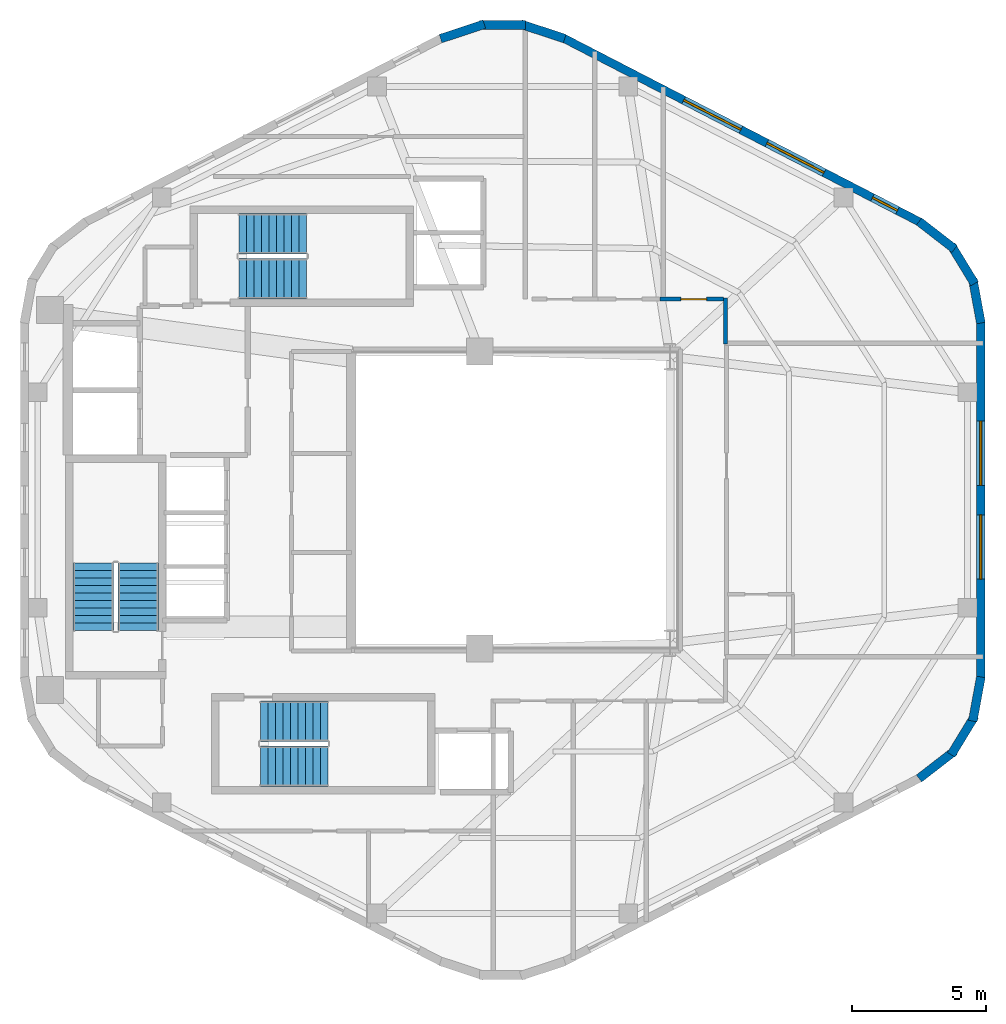
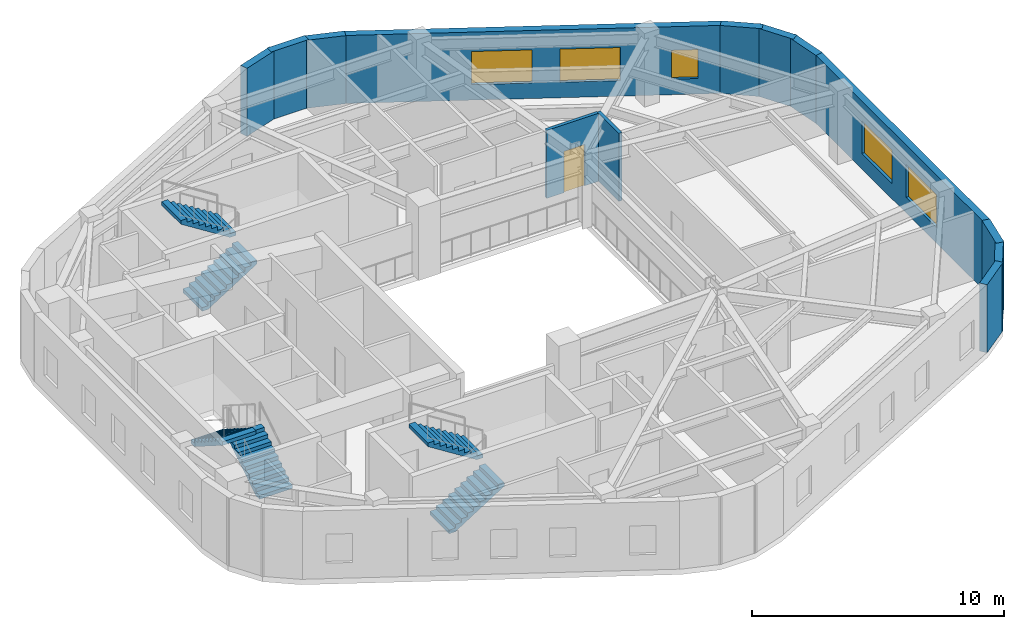
# One storey, part 5 of 6: 13 walls, 6 stair flights, 5 windows, 1 door, 6 openings, 3 elements without a shape of their own.
"""IFC4 building model written with IfcOpenShell, lengths in metres."""

from ifc_helpers import new_model, si_unit, direction, frame, frame_2d, origin, place, context, subcontext, project, spatial, polyline, rectangle, outline, extrude, material, layer, layer_set, type_object, element, fill, aggregate, save


model = new_model("IFC4")

# Units and contexts
model_context = context("Model", 3, precision=1e-05, world=origin(), true_north=direction((0.0, 1.0)))
body_context = subcontext(model_context, "Body", "Model", "MODEL_VIEW")
ifc_project = project(units=[si_unit("LENGTHUNIT", "METRE"), si_unit("AREAUNIT", "SQUARE_METRE"), si_unit("VOLUMEUNIT", "CUBIC_METRE"), si_unit("PLANEANGLEUNIT", "RADIAN"), si_unit("MASSUNIT", "GRAM", prefix="KILO"), si_unit("THERMODYNAMICTEMPERATUREUNIT", "KELVIN"), si_unit("POWERUNIT", "WATT")], contexts=[model_context])

# Site, building, storey
site_placement = place(None, origin())
site = spatial("IfcSite", under=ifc_project, at=site_placement, CompositionType="ELEMENT")
building_placement = place(site_placement, origin())
building = spatial("IfcBuilding", under=site, at=building_placement, Name="Skarre Station Tower", CompositionType="ELEMENT")
storey_placement = place(building_placement, frame((0.0, 0.0, 259.64990234375)))
storey = spatial("IfcBuildingStorey", under=building, at=storey_placement, Name="L71", CompositionType="ELEMENT", Elevation=259.64990234375)

# Wall
ifc_material_1 = material(Name="Acoustic Steel-Stud Gypsum Partition", Category="steel")
ifc_layer_1 = layer(ifc_material_1, 0.14990234375, Name="Acoustic Steel-Stud Gypsum Partition")
ifc_layer_set_1 = layer_set([ifc_layer_1], Name="Acoustic Steel-Stud Gypsum Partition")
wall_type_1 = type_object("IfcWallType", Name="Fire-Rated Corridor Acoustic Partition 150", PredefinedType="PARTITIONING", material=ifc_layer_set_1)
wall_1_placement = place(storey_placement, frame((41.52001953125, 29.820068359375, 0.0), z_axis=(0.0, 0.0, 1.0), x_axis=(0.0, 1.0, 0.0)))
element("IfcWall", 1, at=wall_1_placement, inside=storey, type_object=wall_type_1, Name="L71 Interior Partition WL-PT-L71-CORR-NER", PredefinedType="PARTITIONING", context=body_context, shape_type="SweptSolid", body=[
    extrude(rectangle(XDim=1.719970703125, YDim=0.14990234375, at=frame_2d((0.85986328125, 0.0))), origin(), (0.0, 0.0, 1.0), 3.2900390625),
])

# Wall, opening, door
wall_2_placement = place(storey_placement, frame((41.449951171875, 31.5, 0.0), z_axis=(0.0, 0.0, 1.0), x_axis=(-1.0, 0.0, 0.0)))
wall_2 = element("IfcWall", 2, at=wall_2_placement, inside=storey, type_object=wall_type_1, Name="L71 Interior Partition WL-PT-L71-NW3-CW", PredefinedType="PARTITIONING", context=body_context, shape_type="SweptSolid", body=[
    extrude(rectangle(XDim=2.3740234375, YDim=0.14990234375, at=frame_2d((1.18701171875, 0.0))), origin(), (0.0, 0.0, 1.0), 3.2900390625),
])
opening_1_placement = place(wall_2_placement, frame((0.634033203125, 0.0, 0.0)))
opening_1 = element("IfcOpeningElement", 3, at=opening_1_placement, cuts=wall_2, Name="Opening DR-FD60", PredefinedType="OPENING", context=body_context, shape_type="SweptSolid", body=[
    extrude(rectangle(XDim=0.9599609375, YDim=2.0, at=frame_2d((0.47998046875, 1.0))), frame((0.0, 0.0849609375, 0.0), z_axis=(0.0, -1.0, 0.0), x_axis=(1.0, 0.0, 0.0)), (0.0, 0.0, 1.0), 0.169921875),
])
ifc_material_2 = material(Name="Nordic White-Oak Veneer Solid-Core Fire Leaf", Category="wood")
door_type = type_object("IfcDoorType", Name="Corridor Suite Entry Fire Door FD60 960x2150", OperationType="SINGLE_SWING_LEFT", PredefinedType="DOOR", material=ifc_material_2)
door_placement = place(opening_1_placement, origin())
door = element("IfcDoor", 4, at=door_placement, inside=storey, type_object=door_type, Name="L71 NW3 Entry Door", OperationType="SINGLE_SWING_LEFT", OverallHeight=2.0, OverallWidth=0.9599609375, PredefinedType="DOOR", context=body_context, shape_type="SweptSolid", body=[
    extrude(rectangle(XDim=0.9599609375, YDim=2.0, at=frame_2d((0.47998046875, 1.0))), frame((0.0, 0.02490234375, 0.0), z_axis=(0.0, -1.0, 0.0), x_axis=(1.0, 0.0, 0.0)), (0.0, 0.0, 1.0), 0.050048828125),
])
fill(opening_1, door)

# Walls
ifc_material_3 = material(Name="Precast concrete C45/55", Category="concrete")
ifc_layer_2 = layer(ifc_material_3, 0.330078125, Name="Precast concrete C45/55")
ifc_layer_set_2 = layer_set([ifc_layer_2], Name="Precast concrete C45/55")
wall_type_2 = type_object("IfcWallType", Name="Nordic Rounded Corner Precast Wall 330", PredefinedType="STANDARD", material=ifc_layer_set_2)
wall_3_placement = place(storey_placement, frame((48.7529296875, 34.40087890625, 0.0), z_axis=(0.0, 0.0, 1.0), x_axis=(0.790691856293, -0.61221433207, 0.0)))
element("IfcWall", 5, at=wall_3_placement, inside=storey, type_object=wall_type_2, Name="L71 Rounded Corner Precast Wall F0-1", PredefinedType="STANDARD", context=body_context, shape_type="SweptSolid", body=[
    extrude(rectangle(XDim=1.67578125, YDim=0.330078125, at=frame_2d((0.837890625, 0.0))), origin(), (0.0, 0.0, 1.0), 3.2900390625),
])
wall_4_placement = place(storey_placement, frame((49.952880859375, 33.514892578125, 0.0), z_axis=(0.0, 0.0, 1.0), x_axis=(0.520325409202, -0.853968072318, 0.0)))
element("IfcWall", 6, at=wall_4_placement, inside=storey, type_object=wall_type_2, Name="L71 Rounded Corner Precast Wall F0-2", PredefinedType="STANDARD", context=body_context, shape_type="SweptSolid", body=[
    extrude(rectangle(XDim=1.677978515625, YDim=0.330078125, at=frame_2d((0.8388671875, 0.0))), origin(), (0.0, 0.0, 1.0), 3.2900390625),
])
wall_5_placement = place(storey_placement, frame((50.759033203125, 32.257080078125, 0.0), z_axis=(0.0, 0.0, 1.0), x_axis=(0.180691763044, -0.983539773862, 0.0)))
element("IfcWall", 7, at=wall_5_placement, inside=storey, type_object=wall_type_2, Name="L71 Rounded Corner Precast Wall F0-3", PredefinedType="STANDARD", context=body_context, shape_type="SweptSolid", body=[
    extrude(rectangle(XDim=1.6767578125, YDim=0.330078125, at=frame_2d((0.83837890625, 0.0))), origin(), (0.0, 0.0, 1.0), 3.2900390625),
])
wall_6_placement = place(storey_placement, frame((30.882080078125, 41.23095703125, 0.0), z_axis=(0.0, 0.0, 1.0), x_axis=(0.949713440491, 0.313120393699, 0.0)))
element("IfcWall", 8, at=wall_6_placement, inside=storey, type_object=wall_type_2, Name="L71 Rounded Corner Precast Wall F1-1", PredefinedType="STANDARD", context=body_context, shape_type="SweptSolid", body=[
    extrude(rectangle(XDim=1.7216796875, YDim=0.330078125, at=frame_2d((0.86083984375, 0.0))), origin(), (0.0, 0.0, 1.0), 3.2900390625),
])
wall_7_placement = place(storey_placement, frame((32.339111328125, 41.740966796875, 0.0), z_axis=(0.0, 0.0, 1.0), x_axis=(1.0, 0.0, 0.0)))
element("IfcWall", 9, at=wall_7_placement, inside=storey, type_object=wall_type_2, Name="L71 Rounded Corner Precast Wall F1-2", PredefinedType="STANDARD", context=body_context, shape_type="SweptSolid", body=[
    extrude(rectangle(XDim=1.721923828125, YDim=0.330078125, at=frame_2d((0.86083984375, 0.0))), origin(), (0.0, 0.0, 1.0), 3.2900390625),
])
wall_8_placement = place(storey_placement, frame((33.883056640625, 41.77001953125, 0.0), z_axis=(0.0, 0.0, 1.0), x_axis=(0.949713440491, -0.313120393699, 0.0)))
element("IfcWall", 10, at=wall_8_placement, inside=storey, type_object=wall_type_2, Name="L71 Rounded Corner Precast Wall F1-3", PredefinedType="STANDARD", context=body_context, shape_type="SweptSolid", body=[
    extrude(rectangle(XDim=1.7216796875, YDim=0.330078125, at=frame_2d((0.86083984375, 0.0))), origin(), (0.0, 0.0, 1.0), 3.2900390625),
])
wall_9_placement = place(storey_placement, frame((51.06201171875, 17.39208984375, 0.0), z_axis=(0.0, 0.0, 1.0), x_axis=(-0.180691763044, -0.983539773862, 0.0)))
element("IfcWall", 11, at=wall_9_placement, inside=storey, type_object=wall_type_2, Name="L71 Rounded Corner Precast Wall F5-1", PredefinedType="STANDARD", context=body_context, shape_type="SweptSolid", body=[
    extrude(rectangle(XDim=1.6767578125, YDim=0.330078125, at=frame_2d((0.83837890625, 0.0))), origin(), (0.0, 0.0, 1.0), 3.2900390625),
])
wall_10_placement = place(storey_placement, frame((50.825927734375, 15.91796875, 0.0), z_axis=(0.0, 0.0, 1.0), x_axis=(-0.520325409202, -0.853968072318, 0.0)))
element("IfcWall", 12, at=wall_10_placement, inside=storey, type_object=wall_type_2, Name="L71 Rounded Corner Precast Wall F5-2", PredefinedType="STANDARD", context=body_context, shape_type="SweptSolid", body=[
    extrude(rectangle(XDim=1.677978515625, YDim=0.330078125, at=frame_2d((0.8388671875, 0.0))), origin(), (0.0, 0.0, 1.0), 3.2900390625),
])
wall_11_placement = place(storey_placement, frame((50.077880859375, 14.625, 0.0), z_axis=(0.0, 0.0, 1.0), x_axis=(-0.790691856293, -0.61221433207, 0.0)))
element("IfcWall", 13, at=wall_11_placement, inside=storey, type_object=wall_type_2, Name="L71 Rounded Corner Precast Wall F5-3", PredefinedType="STANDARD", context=body_context, shape_type="SweptSolid", body=[
    extrude(rectangle(XDim=1.67578125, YDim=0.330078125, at=frame_2d((0.837890625, 0.0))), origin(), (0.0, 0.0, 1.0), 3.2900390625),
])

# Wall, openings, windows
ifc_layer_3 = layer(ifc_material_3, 0.31005859375, Name="Precast concrete C45/55")
ifc_layer_set_3 = layer_set([ifc_layer_3], Name="Precast concrete C45/55")
wall_type_3 = type_object("IfcWallType", Name="Nordic Upper-Zone Precast Facet Wall 310", PredefinedType="STANDARD", material=ifc_layer_set_3)
wall_12_placement = place(storey_placement, frame((35.43701171875, 41.27001953125, 0.0), z_axis=(0.0, 0.0, 1.0), x_axis=(0.888581481622, -0.458718814218, 0.0)))
wall_12 = element("IfcWall", 14, at=wall_12_placement, inside=storey, type_object=wall_type_3, Name="L71 Facet 0 Nordic Precast Masonry Wall", PredefinedType="STANDARD", context=body_context, shape_type="SweptSolid", body=[
    extrude(rectangle(XDim=15.076904296875, YDim=0.31005859375, at=frame_2d((7.53857421875, 0.0))), origin(), (0.0, 0.0, 1.0), 3.2900390625),
])
opening_2_placement = place(wall_12_placement, frame((5.096923828125, 0.0, 0.75)))
opening_2 = element("IfcOpeningElement", 15, at=opening_2_placement, cuts=wall_12, Name="Opening WN-Z4A", PredefinedType="OPENING", context=body_context, shape_type="SweptSolid", body=[
    extrude(rectangle(XDim=2.39990234375, YDim=1.60009765625, at=frame_2d((1.199951171875, 0.800048828125))), frame((0.0, 0.1650390625, 0.0), z_axis=(0.0, -1.0, 0.0), x_axis=(1.0, 0.0, 0.0)), (0.0, 0.0, 1.0), 0.330078125),
])
opening_3_placement = place(wall_12_placement, frame((8.593017578125, 0.0, 0.75)))
opening_3 = element("IfcOpeningElement", 16, at=opening_3_placement, cuts=wall_12, Name="Opening WN-Z4A", PredefinedType="OPENING", context=body_context, shape_type="SweptSolid", body=[
    extrude(rectangle(XDim=2.39990234375, YDim=1.60009765625, at=frame_2d((1.199951171875, 0.800048828125))), frame((0.0, 0.1650390625, 0.0), z_axis=(0.0, -1.0, 0.0), x_axis=(1.0, 0.0, 0.0)), (0.0, 0.0, 1.0), 0.330078125),
])
opening_4_placement = place(wall_12_placement, frame((13.029052734375, 0.0, 0.75)))
opening_4 = element("IfcOpeningElement", 17, at=opening_4_placement, cuts=wall_12, Name="Opening WN-SLT", PredefinedType="OPENING", context=body_context, shape_type="SweptSolid", body=[
    extrude(rectangle(XDim=1.050048828125, YDim=1.39990234375, at=frame_2d((0.52490234375, 0.699951171875))), frame((0.0, 0.1650390625, 0.0), z_axis=(0.0, -1.0, 0.0), x_axis=(1.0, 0.0, 0.0)), (0.0, 0.0, 1.0), 0.330078125),
])
ifc_material_4 = material(Name="Low-Iron Triple Glazing with Bronze Anodized Frame", Category="glass")
window_type_1 = type_object("IfcWindowType", Name="Nordic Corner Slot Window 1050x1400", PartitioningType="SINGLE_PANEL", PredefinedType="WINDOW", material=ifc_material_4)
window_1_placement = place(opening_4_placement, origin())
window_1 = element("IfcWindow", 18, at=window_1_placement, inside=storey, type_object=window_type_1, Name="L71 Facade Window WL-FAC-L71-F0-3", OverallHeight=1.39990234375, OverallWidth=1.050048828125, PartitioningType="SINGLE_PANEL", PredefinedType="WINDOW", context=body_context, shape_type="SweptSolid", body=[
    extrude(rectangle(XDim=1.050048828125, YDim=1.39990234375, at=frame_2d((0.52490234375, 0.699951171875))), frame((0.0, 0.030029296875, 0.0), z_axis=(0.0, -1.0, 0.0), x_axis=(1.0, 0.0, 0.0)), (0.0, 0.0, 1.0), 0.06005859375),
])
fill(opening_4, window_1)
window_type_2 = type_object("IfcWindowType", Name="Nordic Crown Panorama Window 2400x1600", PartitioningType="SINGLE_PANEL", PredefinedType="WINDOW", material=ifc_material_4)
window_2_placement = place(opening_2_placement, origin())
window_2 = element("IfcWindow", 19, at=window_2_placement, inside=storey, type_object=window_type_2, Name="L71 Facade Window WL-FAC-L71-F0-1", OverallHeight=1.60009765625, OverallWidth=2.39990234375, PartitioningType="SINGLE_PANEL", PredefinedType="WINDOW", context=body_context, shape_type="SweptSolid", body=[
    extrude(rectangle(XDim=2.39990234375, YDim=1.60009765625, at=frame_2d((1.199951171875, 0.800048828125))), frame((0.0, 0.030029296875, 0.0), z_axis=(0.0, -1.0, 0.0), x_axis=(1.0, 0.0, 0.0)), (0.0, 0.0, 1.0), 0.06005859375),
])
fill(opening_2, window_2)
window_3_placement = place(opening_3_placement, origin())
window_3 = element("IfcWindow", 20, at=window_3_placement, inside=storey, type_object=window_type_2, Name="L71 Facade Window WL-FAC-L71-F0-2", OverallHeight=1.60009765625, OverallWidth=2.39990234375, PartitioningType="SINGLE_PANEL", PredefinedType="WINDOW", context=body_context, shape_type="SweptSolid", body=[
    extrude(rectangle(XDim=2.39990234375, YDim=1.60009765625, at=frame_2d((1.199951171875, 0.800048828125))), frame((0.0, 0.030029296875, 0.0), z_axis=(0.0, -1.0, 0.0), x_axis=(1.0, 0.0, 0.0)), (0.0, 0.0, 1.0), 0.06005859375),
])
fill(opening_3, window_3)

wall_13_placement = place(storey_placement, frame((51.05810546875, 30.701904296875, 0.0), z_axis=(0.0, 0.0, 1.0), x_axis=(0.0, -1.0, 0.0)))
wall_13 = element("IfcWall", 21, at=wall_13_placement, inside=storey, type_object=wall_type_3, Name="L71 Facet 5 Nordic Precast Masonry Wall", PredefinedType="STANDARD", context=body_context, shape_type="SweptSolid", body=[
    extrude(rectangle(XDim=13.40380859375, YDim=0.31005859375, at=frame_2d((6.701904296875, 0.0))), origin(), (0.0, 0.0, 1.0), 3.2900390625),
])
opening_5_placement = place(wall_13_placement, frame((3.751953125, 0.0, 0.75)))
opening_5 = element("IfcOpeningElement", 22, at=opening_5_placement, cuts=wall_13, Name="Opening WN-Z4A", PredefinedType="OPENING", context=body_context, shape_type="SweptSolid", body=[
    extrude(rectangle(XDim=2.39990234375, YDim=1.60009765625, at=frame_2d((1.199951171875, 0.800048828125))), frame((0.0, 0.1650390625, 0.0), z_axis=(0.0, -1.0, 0.0), x_axis=(1.0, 0.0, 0.0)), (0.0, 0.0, 1.0), 0.330078125),
])
opening_6_placement = place(wall_13_placement, frame((7.2529296875, 0.0, 0.75)))
opening_6 = element("IfcOpeningElement", 23, at=opening_6_placement, cuts=wall_13, Name="Opening WN-Z4A", PredefinedType="OPENING", context=body_context, shape_type="SweptSolid", body=[
    extrude(rectangle(XDim=2.39990234375, YDim=1.60009765625, at=frame_2d((1.199951171875, 0.800048828125))), frame((0.0, 0.1650390625, 0.0), z_axis=(0.0, -1.0, 0.0), x_axis=(1.0, 0.0, 0.0)), (0.0, 0.0, 1.0), 0.330078125),
])
window_4_placement = place(opening_5_placement, origin())
window_4 = element("IfcWindow", 24, at=window_4_placement, inside=storey, type_object=window_type_2, Name="L71 Facade Window WL-FAC-L71-F5-1", OverallHeight=1.60009765625, OverallWidth=2.39990234375, PartitioningType="SINGLE_PANEL", PredefinedType="WINDOW", context=body_context, shape_type="SweptSolid", body=[
    extrude(rectangle(XDim=2.39990234375, YDim=1.60009765625, at=frame_2d((1.199951171875, 0.800048828125))), frame((0.0, 0.030029296875, 0.0), z_axis=(0.0, -1.0, 0.0), x_axis=(1.0, 0.0, 0.0)), (0.0, 0.0, 1.0), 0.06005859375),
])
fill(opening_5, window_4)
window_5_placement = place(opening_6_placement, origin())
window_5 = element("IfcWindow", 25, at=window_5_placement, inside=storey, type_object=window_type_2, Name="L71 Facade Window WL-FAC-L71-F5-2", OverallHeight=1.60009765625, OverallWidth=2.39990234375, PartitioningType="SINGLE_PANEL", PredefinedType="WINDOW", context=body_context, shape_type="SweptSolid", body=[
    extrude(rectangle(XDim=2.39990234375, YDim=1.60009765625, at=frame_2d((1.199951171875, 0.800048828125))), frame((0.0, 0.030029296875, 0.0), z_axis=(0.0, -1.0, 0.0), x_axis=(1.0, 0.0, 0.0)), (0.0, 0.0, 1.0), 0.06005859375),
])
fill(opening_6, window_5)

# Stair, stair flights
ifc_material_5 = material(Name="Concrete C40/50", Category="concrete")
stair_type_1 = type_object("IfcStairType", Name="Reinforced Concrete Exit Stair ST-1", PredefinedType="HALF_TURN_STAIR", material=ifc_material_5)
stair_1_placement = place(storey_placement, origin())
stair_1 = element("IfcStair", 26, at=stair_1_placement, inside=storey, type_object=stair_type_1, Name="L71 Core Exit Stair ST-1", PredefinedType="HALF_TURN_STAIR")
stair_flight_type_1 = type_object("IfcStairFlightType", Name="Reinforced Concrete Stair Flight ST-1", PredefinedType="STRAIGHT", material=ifc_material_5)
stair_flight_1_placement = place(storey_placement, frame((19.590087890625, 19.1201171875, 0.0), z_axis=(0.0, 0.0, 1.0), x_axis=(0.0, 1.0, 0.0)))
stair_flight_1 = element("IfcStairFlight", 27, at=stair_flight_1_placement, type_object=stair_flight_type_1, Name="ST-1 flight 1", NumberOfRisers=10, NumberOfTreads=9, PredefinedType="STRAIGHT", RiserHeight=0.1775, TreadLength=0.28, context=body_context, shape_type="SweptSolid", body=[
    extrude(outline(polyline([(0.0, 0.0), (0.0, 0.177490234375), (0.280029296875, 0.177490234375), (0.280029296875, 0.35498046875), (0.56005859375, 0.35498046875), (0.56005859375, 0.532470703125), (0.840087890625, 0.532470703125), (0.840087890625, 0.7099609375), (1.1201171875, 0.7099609375), (1.1201171875, 0.887451171875), (1.39990234375, 0.887451171875), (1.39990234375, 1.06494140625), (1.679931640625, 1.06494140625), (1.679931640625, 1.242431640625), (1.9599609375, 1.242431640625), (1.9599609375, 1.419921875), (2.239990234375, 1.419921875), (2.239990234375, 1.597412109375), (2.52001953125, 1.597412109375), (2.52001953125, 1.77490234375), (2.52001953125, 1.419921875), (0.280029296875, 0.0), (0.0, 0.0)])), frame((0.0, 0.760009765625, 0.0), z_axis=(0.0, -1.0, 0.0), x_axis=(1.0, 0.0, 0.0)), (0.0, 0.0, 1.0), 1.52001953125),
])
stair_flight_2_placement = place(storey_placement, frame((17.909912109375, 21.639892578125, 1.775146484375), z_axis=(0.0, 0.0, 1.0), x_axis=(0.0, -1.0, 0.0)))
stair_flight_2 = element("IfcStairFlight", 28, at=stair_flight_2_placement, type_object=stair_flight_type_1, Name="ST-1 flight 2", NumberOfRisers=10, NumberOfTreads=9, PredefinedType="STRAIGHT", RiserHeight=0.1775, TreadLength=0.28, context=body_context, shape_type="SweptSolid", body=[
    extrude(outline(polyline([(0.0, 0.0), (0.0, 0.177490234375), (0.280029296875, 0.177490234375), (0.280029296875, 0.35498046875), (0.56005859375, 0.35498046875), (0.56005859375, 0.532470703125), (0.840087890625, 0.532470703125), (0.840087890625, 0.7099609375), (1.1201171875, 0.7099609375), (1.1201171875, 0.887451171875), (1.39990234375, 0.887451171875), (1.39990234375, 1.06494140625), (1.679931640625, 1.06494140625), (1.679931640625, 1.242431640625), (1.9599609375, 1.242431640625), (1.9599609375, 1.419921875), (2.239990234375, 1.419921875), (2.239990234375, 1.597412109375), (2.52001953125, 1.597412109375), (2.52001953125, 1.77490234375), (2.52001953125, 1.419921875), (0.280029296875, 0.0), (0.0, 0.0)])), frame((0.0, 0.760009765625, 0.0), z_axis=(0.0, -1.0, 0.0), x_axis=(1.0, 0.0, 0.0)), (0.0, 0.0, 1.0), 1.52001953125),
])
aggregate(stair_1, [stair_flight_1, stair_flight_2])

stair_type_2 = type_object("IfcStairType", Name="Reinforced Concrete Exit Stair ST-2", PredefinedType="HALF_TURN_STAIR", material=ifc_material_5)
stair_2_placement = place(storey_placement, origin())
stair_2 = element("IfcStair", 29, at=stair_2_placement, inside=storey, type_object=stair_type_2, Name="L71 Core Exit Stair ST-2", PredefinedType="HALF_TURN_STAIR")
stair_flight_type_2 = type_object("IfcStairFlightType", Name="Reinforced Concrete Stair Flight ST-2", PredefinedType="STRAIGHT", material=ifc_material_5)
stair_flight_3_placement = place(storey_placement, frame((24.14990234375, 14.06005859375, 0.0), z_axis=(0.0, 0.0, 1.0), x_axis=(1.0, 0.0, 0.0)))
stair_flight_3 = element("IfcStairFlight", 30, at=stair_flight_3_placement, type_object=stair_flight_type_2, Name="ST-2 flight 1", NumberOfRisers=10, NumberOfTreads=9, PredefinedType="STRAIGHT", RiserHeight=0.1775, TreadLength=0.28, context=body_context, shape_type="SweptSolid", body=[
    extrude(outline(polyline([(0.0, 0.0), (0.0, 0.177490234375), (0.280029296875, 0.177490234375), (0.280029296875, 0.35498046875), (0.56005859375, 0.35498046875), (0.56005859375, 0.532470703125), (0.840087890625, 0.532470703125), (0.840087890625, 0.7099609375), (1.1201171875, 0.7099609375), (1.1201171875, 0.887451171875), (1.39990234375, 0.887451171875), (1.39990234375, 1.06494140625), (1.679931640625, 1.06494140625), (1.679931640625, 1.242431640625), (1.9599609375, 1.242431640625), (1.9599609375, 1.419921875), (2.239990234375, 1.419921875), (2.239990234375, 1.597412109375), (2.52001953125, 1.597412109375), (2.52001953125, 1.77490234375), (2.52001953125, 1.419921875), (0.280029296875, 0.0), (0.0, 0.0)])), frame((0.0, 0.760009765625, 0.0), z_axis=(0.0, -1.0, 0.0), x_axis=(1.0, 0.0, 0.0)), (0.0, 0.0, 1.0), 1.52001953125),
])
stair_flight_4_placement = place(storey_placement, frame((26.669921875, 15.739990234375, 1.775146484375), z_axis=(0.0, 0.0, 1.0), x_axis=(-1.0, 0.0, 0.0)))
stair_flight_4 = element("IfcStairFlight", 31, at=stair_flight_4_placement, type_object=stair_flight_type_2, Name="ST-2 flight 2", NumberOfRisers=10, NumberOfTreads=9, PredefinedType="STRAIGHT", RiserHeight=0.1775, TreadLength=0.28, context=body_context, shape_type="SweptSolid", body=[
    extrude(outline(polyline([(0.0, 0.0), (0.0, 0.177490234375), (0.280029296875, 0.177490234375), (0.280029296875, 0.35498046875), (0.56005859375, 0.35498046875), (0.56005859375, 0.532470703125), (0.840087890625, 0.532470703125), (0.840087890625, 0.7099609375), (1.1201171875, 0.7099609375), (1.1201171875, 0.887451171875), (1.39990234375, 0.887451171875), (1.39990234375, 1.06494140625), (1.679931640625, 1.06494140625), (1.679931640625, 1.242431640625), (1.9599609375, 1.242431640625), (1.9599609375, 1.419921875), (2.239990234375, 1.419921875), (2.239990234375, 1.597412109375), (2.52001953125, 1.597412109375), (2.52001953125, 1.77490234375), (2.52001953125, 1.419921875), (0.280029296875, 0.0), (0.0, 0.0)])), frame((0.0, 0.760009765625, 0.0), z_axis=(0.0, -1.0, 0.0), x_axis=(1.0, 0.0, 0.0)), (0.0, 0.0, 1.0), 1.52001953125),
])
aggregate(stair_2, [stair_flight_3, stair_flight_4])

stair_type_3 = type_object("IfcStairType", Name="Reinforced Concrete Exit Stair ST-3", PredefinedType="HALF_TURN_STAIR", material=ifc_material_5)
stair_3_placement = place(storey_placement, origin())
stair_3 = element("IfcStair", 32, at=stair_3_placement, inside=storey, type_object=stair_type_3, Name="L71 Core Exit Stair ST-3", PredefinedType="HALF_TURN_STAIR")
stair_flight_type_3 = type_object("IfcStairFlightType", Name="Reinforced Concrete Stair Flight ST-3", PredefinedType="STRAIGHT", material=ifc_material_5)
stair_flight_5_placement = place(storey_placement, frame((23.35009765625, 32.260009765625, 0.0), z_axis=(0.0, 0.0, 1.0), x_axis=(1.0, 0.0, 0.0)))
stair_flight_5 = element("IfcStairFlight", 33, at=stair_flight_5_placement, type_object=stair_flight_type_3, Name="ST-3 flight 1", NumberOfRisers=10, NumberOfTreads=9, PredefinedType="STRAIGHT", RiserHeight=0.1775, TreadLength=0.28, context=body_context, shape_type="SweptSolid", body=[
    extrude(outline(polyline([(0.0, 0.0), (0.0, 0.177490234375), (0.280029296875, 0.177490234375), (0.280029296875, 0.35498046875), (0.56005859375, 0.35498046875), (0.56005859375, 0.532470703125), (0.840087890625, 0.532470703125), (0.840087890625, 0.7099609375), (1.1201171875, 0.7099609375), (1.1201171875, 0.887451171875), (1.39990234375, 0.887451171875), (1.39990234375, 1.06494140625), (1.679931640625, 1.06494140625), (1.679931640625, 1.242431640625), (1.9599609375, 1.242431640625), (1.9599609375, 1.419921875), (2.239990234375, 1.419921875), (2.239990234375, 1.597412109375), (2.52001953125, 1.597412109375), (2.52001953125, 1.77490234375), (2.52001953125, 1.419921875), (0.280029296875, 0.0), (0.0, 0.0)])), frame((0.0, 0.760009765625, 0.0), z_axis=(0.0, -1.0, 0.0), x_axis=(1.0, 0.0, 0.0)), (0.0, 0.0, 1.0), 1.52001953125),
])
stair_flight_6_placement = place(storey_placement, frame((25.8701171875, 33.93994140625, 1.775146484375), z_axis=(0.0, 0.0, 1.0), x_axis=(-1.0, 0.0, 0.0)))
stair_flight_6 = element("IfcStairFlight", 34, at=stair_flight_6_placement, type_object=stair_flight_type_3, Name="ST-3 flight 2", NumberOfRisers=10, NumberOfTreads=9, PredefinedType="STRAIGHT", RiserHeight=0.1775, TreadLength=0.28, context=body_context, shape_type="SweptSolid", body=[
    extrude(outline(polyline([(0.0, 0.0), (0.0, 0.177490234375), (0.280029296875, 0.177490234375), (0.280029296875, 0.35498046875), (0.56005859375, 0.35498046875), (0.56005859375, 0.532470703125), (0.840087890625, 0.532470703125), (0.840087890625, 0.7099609375), (1.1201171875, 0.7099609375), (1.1201171875, 0.887451171875), (1.39990234375, 0.887451171875), (1.39990234375, 1.06494140625), (1.679931640625, 1.06494140625), (1.679931640625, 1.242431640625), (1.9599609375, 1.242431640625), (1.9599609375, 1.419921875), (2.239990234375, 1.419921875), (2.239990234375, 1.597412109375), (2.52001953125, 1.597412109375), (2.52001953125, 1.77490234375), (2.52001953125, 1.419921875), (0.280029296875, 0.0), (0.0, 0.0)])), frame((0.0, 0.760009765625, 0.0), z_axis=(0.0, -1.0, 0.0), x_axis=(1.0, 0.0, 0.0)), (0.0, 0.0, 1.0), 1.52001953125),
])
aggregate(stair_3, [stair_flight_5, stair_flight_6])

save(model, "model.ifc")
